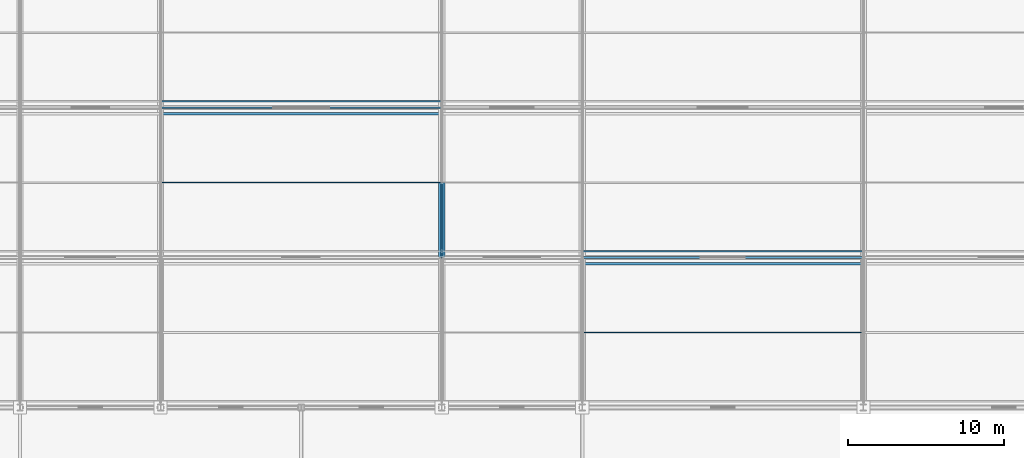
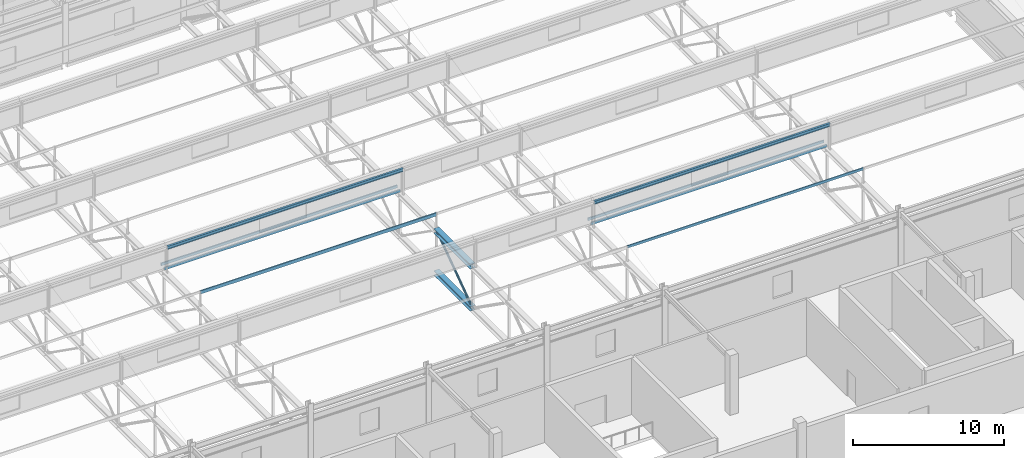
# One storey, part 30 of 136: 9 members, 2 beams.
"""IFC4 building model written with IfcOpenShell, lengths in metres."""

from ifc_helpers import new_model, si_unit, direction, frame, origin, origin_2d, place, context, subcontext, project, spatial, hollow_rectangle, hollow_circle, i_section, u_section, extrude, material, material_profile, profile_set, type_object, element, save


model = new_model("IFC4")

# Units and contexts
model_context = context("Model", 3, precision=1e-05, world=origin(), true_north=direction((0.0, 1.0)))
body_context = subcontext(model_context, "Body", "Model", "MODEL_VIEW")
ifc_project = project(units=[si_unit("LENGTHUNIT", "METRE"), si_unit("AREAUNIT", "SQUARE_METRE"), si_unit("VOLUMEUNIT", "CUBIC_METRE"), si_unit("PLANEANGLEUNIT", "RADIAN"), si_unit("MASSUNIT", "GRAM", prefix="KILO")], contexts=[model_context])

# Site, building, storey
site_placement = place(None, origin())
site = spatial("IfcSite", under=ifc_project, at=site_placement, CompositionType="ELEMENT")
building_placement = place(site_placement, origin())
building = spatial("IfcBuilding", under=site, at=building_placement, Name="Kisiwana Market Hall", CompositionType="ELEMENT")
storey_placement = place(building_placement, frame((0.0, 0.0, 16.800048828125)))
storey = spatial("IfcBuildingStorey", under=building, at=storey_placement, Name="L03", CompositionType="ELEMENT", Elevation=16.800048828125)

# Beams
ifc_material_1 = material(Name="Steel S355", Category="steel")
ifc_material_profile_1 = material_profile(ifc_material_1, i_section(OverallWidth=0.394775390625, OverallDepth=0.381103515625, WebThickness=0.018310546875, FlangeThickness=0.0302734375, at=origin_2d()), Name="UC 356x406x235")
ifc_profile_set_1 = profile_set([ifc_material_profile_1], Name="Steel S355")
beam_type_1 = type_object("IfcBeamType", Name="BM-TRUSS-BOT", PredefinedType="USERDEFINED", material=ifc_profile_set_1)
beam_1_placement = place(storey_placement, frame((108.0, 45.60009765625, 0.22998046875), z_axis=(0.0, 1.0, 0.0), x_axis=(-1.0, 0.0, 0.0)))
element("IfcBeam", 1, at=beam_1_placement, inside=storey, type_object=beam_type_1, Name="TR-05 BC panel 3 B-1260", ObjectType="ROOF TRUSS", PredefinedType="USERDEFINED", context=body_context, shape_type="SweptSolid", body=[
    extrude(i_section(OverallWidth=0.394775390625, OverallDepth=0.381103515625, WebThickness=0.018310546875, FlangeThickness=0.0302734375, at=origin_2d()), origin(), (0.0, 0.0, 1.0), 4.7998046875),
])
ifc_material_2 = material(Name="Steel S355", Category="steel")
ifc_material_profile_2 = material_profile(ifc_material_2, i_section(OverallWidth=0.39892578125, OverallDepth=0.3935546875, WebThickness=0.022705078125, FlangeThickness=0.03662109375, at=origin_2d()), Name="UC 356x406x287")
ifc_profile_set_2 = profile_set([ifc_material_profile_2], Name="Steel S355")
beam_type_2 = type_object("IfcBeamType", Name="BM-TRUSS-TOP", PredefinedType="USERDEFINED", material=ifc_profile_set_2)
beam_2_placement = place(storey_placement, frame((108.0, 45.60009765625, 3.619873046875), z_axis=(0.0, 1.0, 0.0), x_axis=(-1.0, 0.0, 0.0)))
element("IfcBeam", 2, at=beam_2_placement, inside=storey, type_object=beam_type_2, Name="TR-05 TC panel 3 B-1270", ObjectType="ROOF TRUSS", PredefinedType="USERDEFINED", context=body_context, shape_type="SweptSolid", body=[
    extrude(i_section(OverallWidth=0.39892578125, OverallDepth=0.3935546875, WebThickness=0.022705078125, FlangeThickness=0.03662109375, at=origin_2d()), origin(), (0.0, 0.0, 1.0), 4.7998046875),
])

# Members
ifc_material_3 = material(Name="Steel S355", Category="steel")
ifc_material_profile_3 = material_profile(ifc_material_3, u_section(Depth=0.199951171875, FlangeWidth=0.074951171875, WebThickness=0.006103515625, FlangeThickness=0.012451171875, at=origin_2d()), Name="PFC 200x75x23")
ifc_profile_set_3 = profile_set([ifc_material_profile_3], Name="Steel S355")
member_type_1 = type_object("IfcMemberType", Name="MB-PURL-PFC200", PredefinedType="PURLIN", material=ifc_profile_set_3)
member_1_placement = place(storey_placement, frame((117.0, 40.800048828125, 4.936279296875), z_axis=(1.0, 0.0, 0.0), x_axis=(0.0, 1.0, 0.0)))
element("IfcMember", 3, at=member_1_placement, inside=storey, type_object=member_type_1, Name="Sawtooth mid-slope roof purlin 14 M-0096", PredefinedType="PURLIN", context=body_context, shape_type="SweptSolid", body=[
    extrude(u_section(Depth=0.199951171875, FlangeWidth=0.074951171875, WebThickness=0.006103515625, FlangeThickness=0.012451171875, at=origin_2d()), origin(), (0.0, 0.0, 1.0), 18.0),
])
ifc_material_4 = material(Name="Steel S355", Category="steel")
ifc_material_profile_4 = material_profile(ifc_material_4, u_section(Depth=0.260009765625, FlangeWidth=0.090087890625, WebThickness=0.008056640625, FlangeThickness=0.013916015625, at=origin_2d()), Name="PFC 260x90x35")
ifc_profile_set_4 = profile_set([ifc_material_profile_4], Name="Steel S355")
member_type_2 = type_object("IfcMemberType", Name="MB-PURL-PFC260", PredefinedType="PURLIN", material=ifc_profile_set_4)
member_2_placement = place(storey_placement, frame((90.0, 50.39990234375, 4.90625), z_axis=(1.0, 0.0, 0.0), x_axis=(0.0, 1.0, 0.0)))
element("IfcMember", 4, at=member_2_placement, inside=storey, type_object=member_type_2, Name="Sawtooth mid-slope roof purlin 27 M-0101", PredefinedType="PURLIN", context=body_context, shape_type="SweptSolid", body=[
    extrude(u_section(Depth=0.260009765625, FlangeWidth=0.090087890625, WebThickness=0.008056640625, FlangeThickness=0.013916015625, at=origin_2d()), origin(), (0.0, 0.0, 1.0), 18.0),
])
ifc_material_5 = material(Name="Steel S355", Category="steel")
ifc_material_profile_5 = material_profile(ifc_material_5, hollow_rectangle(XDim=0.10009765625, YDim=0.199951171875, WallThickness=0.008056640625, at=origin_2d()), Name="RHS 200x100x8.0")
ifc_profile_set_5 = profile_set([ifc_material_profile_5], Name="Steel S355")
member_type_3 = type_object("IfcMemberType", Name="MB-ROOF-PURLIN1", PredefinedType="PURLIN", material=ifc_profile_set_5)
for number, where, z_axis, x_axis, name in (
    (5, (117.0, 45.60009765625, 3.90087890625), (1.0, 0.0, 0.0), (0.0, 1.0, 0.0), "Sawtooth roof purlin 194 M-0143"),
    (6, (90.0, 55.199951171875, 3.90087890625), (1.0, 0.0, 0.0), (0.0, 1.0, 0.0), "Sawtooth roof purlin 233 M-0158"),
    (7, (117.0, 46.0, 4.0009765625), (1.0, 0.0, 0.0), (0.0, 1.0, 0.0), "Sawtooth roof purlin 237 M-0162"),
    (8, (90.0, 55.60009765625, 4.0009765625), (1.0, 0.0, 0.0), (0.0, 1.0, 0.0), "Sawtooth roof purlin 276 M-0177"),
):
    element("IfcMember", number, at=place(storey_placement, frame(where, z_axis=z_axis, x_axis=x_axis)), inside=storey, type_object=member_type_3, Name=name, PredefinedType="PURLIN", context=body_context, shape_type="SweptSolid", body=[
        extrude(hollow_rectangle(XDim=0.10009765625, YDim=0.199951171875, WallThickness=0.008056640625, at=origin_2d()), origin(), (0.0, 0.0, 1.0), 18.0),
    ])
ifc_material_6 = material(Name="Steel S355", Category="steel")
ifc_material_profile_6 = material_profile(ifc_material_6, i_section(OverallWidth=0.146484375, OverallDepth=0.256103515625, WebThickness=0.00634765625, FlangeThickness=0.010986328125, at=origin_2d()), Name="UB 254x146x37")
ifc_profile_set_6 = profile_set([ifc_material_profile_6], Name="Steel S355")
member_type_4 = type_object("IfcMemberType", Name="MB-ROOF-PURLIN2", PredefinedType="PURLIN", material=ifc_profile_set_6)
for number, where, z_axis, x_axis, name in (
    (9, (117.0, 45.199951171875, 5.843505859375), (1.0, 0.0, 0.0), (0.0, 1.0, 0.0), "Sawtooth roof purlin 193 M-0142"),
    (10, (90.0, 54.800048828125, 5.843505859375), (1.0, 0.0, 0.0), (0.0, 1.0, 0.0), "Sawtooth roof purlin 232 M-0157"),
):
    element("IfcMember", number, at=place(storey_placement, frame(where, z_axis=z_axis, x_axis=x_axis)), inside=storey, type_object=member_type_4, Name=name, PredefinedType="PURLIN", context=body_context, shape_type="SweptSolid", body=[
        extrude(i_section(OverallWidth=0.146484375, OverallDepth=0.256103515625, WebThickness=0.00634765625, FlangeThickness=0.010986328125, at=origin_2d()), origin(), (0.0, 0.0, 1.0), 18.0),
    ])
ifc_material_7 = material(Name="Steel S355", Category="steel")
ifc_material_profile_7 = material_profile(ifc_material_7, hollow_circle(Radius=0.084228515625, WallThickness=0.010009765625, at=origin_2d()), Name="CHS 168.3x10.0")
ifc_profile_set_7 = profile_set([ifc_material_profile_7], Name="Steel S355")
member_type_5 = type_object("IfcMemberType", Name="MB-TR-DIAG168", PredefinedType="BRACE", material=ifc_profile_set_7)
member_3_placement = place(storey_placement, frame((108.0, 45.60009765625, 0.22998046875), z_axis=(0.0, 0.816823908826, 0.576887079046), x_axis=(-1.0, 0.0, 0.0)))
element("IfcMember", 11, at=member_3_placement, inside=storey, type_object=member_type_5, Name="TR-05 diagonal 3 M-0414", PredefinedType="BRACE", context=body_context, shape_type="SweptSolid", body=[
    extrude(hollow_circle(Radius=0.084228515625, WallThickness=0.010009765625, at=origin_2d()), origin(), (0.0, 0.0, 1.0), 5.876220703125),
])

save(model, "model.ifc")
